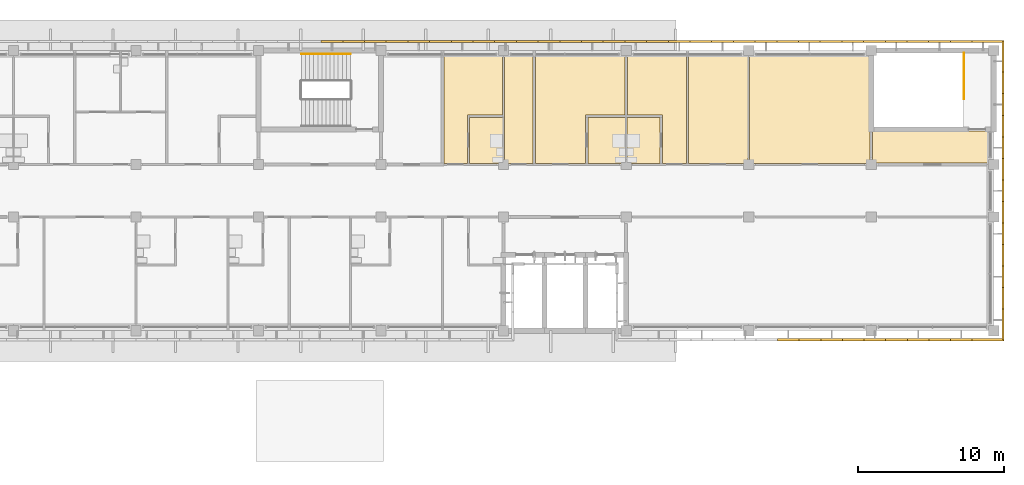
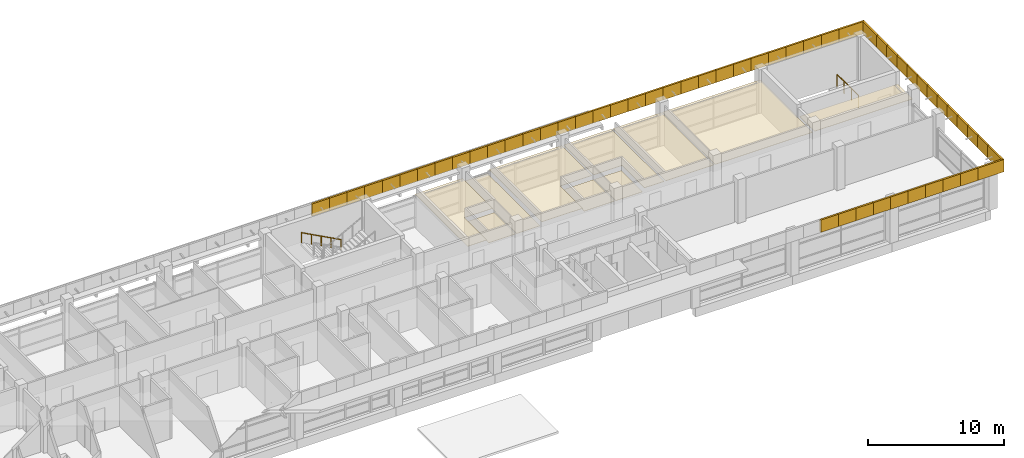
# One storey, part 35 of 36: 64 coverings, 2 railings.
"""IFC4 building model written with IfcOpenShell, lengths in metres."""

from ifc_helpers import new_model, si_unit, direction, frame, origin, origin_2d, place, context, subcontext, project, spatial, polyline, circle, outline, extrude, material, layer, layer_set, type_object, element, save


model = new_model("IFC4")

# Units and contexts
model_context = context("Model", 3, precision=1e-05, world=origin(), true_north=direction((0.0, 1.0)))
body_context = subcontext(model_context, "Body", "Model", "MODEL_VIEW")
ifc_project = project(units=[si_unit("LENGTHUNIT", "METRE"), si_unit("AREAUNIT", "SQUARE_METRE"), si_unit("VOLUMEUNIT", "CUBIC_METRE"), si_unit("PLANEANGLEUNIT", "RADIAN"), si_unit("MASSUNIT", "GRAM", prefix="KILO")], contexts=[model_context])

# Site, building, storey
site_placement = place(None, origin())
site = spatial("IfcSite", under=ifc_project, at=site_placement, CompositionType="ELEMENT")
building_placement = place(site_placement, origin())
building = spatial("IfcBuilding", under=site, at=building_placement, Name="Bougainvillea Quay General Hospital", CompositionType="ELEMENT")
storey_placement = place(building_placement, frame((0.0, 0.0, 32.699951171875)))
storey = spatial("IfcBuildingStorey", under=building, at=storey_placement, Name="L07", CompositionType="ELEMENT", Elevation=32.699951171875)

# Coverings
ifc_material_1 = material(Name="Powder-coated aluminium fascia, white", Category="aluminium")
ifc_layer_1 = layer(ifc_material_1, 0.14990234375)
ifc_layer_set_1 = layer_set([ifc_layer_1], Name="Powder-coated aluminium fascia, white")
covering_type_1 = type_object("IfcCoveringType", Name="Aluminium fascia band white 150x1100", PredefinedType="CLADDING", material=ifc_layer_set_1)
covering_1_placement = place(storey_placement, frame((185.35009765625, 160.14990234375, 3.35009765625), z_axis=(0.0, 0.0, 1.0), x_axis=(-1.0, 0.0, 0.0)))
element("IfcCovering", 1, at=covering_1_placement, inside=storey, type_object=covering_type_1, Name="Fascia band white e0 1", PredefinedType="CLADDING", context=body_context, shape_type="SweptSolid", body=[
    extrude(outline(polyline([(0.0, 0.0), (2.03759765625, 0.0), (2.03759765625, -0.150146484375), (-0.14990234375, -0.150146484375), (0.0, 0.0)])), origin(), (0.0, 0.0, 1.0), 1.10009765625),
])
for number, where, z_axis, x_axis, name in (
    (2, (183.3125, 160.14990234375, 3.35009765625), (0.0, 0.0, 1.0), (-1.0, 0.0, 0.0), "Fascia band white e0 2"),
    (3, (181.824951171875, 160.14990234375, 3.35009765625), (0.0, 0.0, 1.0), (-1.0, 0.0, 0.0), "Fascia band white e0 3"),
):
    element("IfcCovering", number, at=place(storey_placement, frame(where, z_axis=z_axis, x_axis=x_axis)), inside=storey, type_object=covering_type_1, Name=name, PredefinedType="CLADDING", context=body_context, shape_type="SweptSolid", body=[
        extrude(outline(polyline([(0.0, 0.0), (1.487548828125, 0.0), (1.487548828125, -0.150146484375), (0.0, -0.150146484375), (0.0, 0.0)])), origin(), (0.0, 0.0, 1.0), 1.10009765625),
    ])
covering_2_placement = place(storey_placement, frame((180.33740234375, 160.14990234375, 3.35009765625), z_axis=(0.0, 0.0, 1.0), x_axis=(-1.0, 0.0, 0.0)))
element("IfcCovering", 4, at=covering_2_placement, inside=storey, type_object=covering_type_1, Name="Fascia band white e0 4", PredefinedType="CLADDING", context=body_context, shape_type="SweptSolid", body=[
    extrude(outline(polyline([(0.0, 0.0), (1.4873046875, 0.0), (1.4873046875, -0.150146484375), (0.0, -0.150146484375), (0.0, 0.0)])), origin(), (0.0, 0.0, 1.0), 1.10009765625),
])
for number, where, z_axis, x_axis, name in (
    (5, (178.85009765625, 160.14990234375, 3.35009765625), (0.0, 0.0, 1.0), (-1.0, 0.0, 0.0), "Fascia band white e0 5"),
    (6, (177.362548828125, 160.14990234375, 3.35009765625), (0.0, 0.0, 1.0), (-1.0, 0.0, 0.0), "Fascia band white e0 6"),
    (7, (175.875, 160.14990234375, 3.35009765625), (0.0, 0.0, 1.0), (-1.0, 0.0, 0.0), "Fascia band white e0 7"),
    (8, (174.387451171875, 160.14990234375, 3.35009765625), (0.0, 0.0, 1.0), (-1.0, 0.0, 0.0), "Fascia band white e0 8"),
):
    element("IfcCovering", number, at=place(storey_placement, frame(where, z_axis=z_axis, x_axis=x_axis)), inside=storey, type_object=covering_type_1, Name=name, PredefinedType="CLADDING", context=body_context, shape_type="SweptSolid", body=[
        extrude(outline(polyline([(0.0, 0.0), (1.487548828125, 0.0), (1.487548828125, -0.150146484375), (0.0, -0.150146484375), (0.0, 0.0)])), origin(), (0.0, 0.0, 1.0), 1.10009765625),
    ])
covering_3_placement = place(storey_placement, frame((172.89990234375, 160.14990234375, 3.35009765625), z_axis=(0.0, 0.0, 1.0), x_axis=(-1.0, 0.0, 0.0)))
element("IfcCovering", 9, at=covering_3_placement, inside=storey, type_object=covering_type_1, Name="Fascia band white e0 9", PredefinedType="CLADDING", context=body_context, shape_type="SweptSolid", body=[
    extrude(outline(polyline([(0.0, 0.0), (1.4873046875, 0.0), (1.4873046875, -0.150146484375), (0.0, -0.150146484375), (0.0, 0.0)])), origin(), (0.0, 0.0, 1.0), 1.10009765625),
])
for number, where, z_axis, x_axis, name in (
    (10, (171.41259765625, 160.14990234375, 3.35009765625), (0.0, 0.0, 1.0), (-1.0, 0.0, 0.0), "Fascia band white e0 10"),
    (11, (169.925048828125, 160.14990234375, 3.35009765625), (0.0, 0.0, 1.0), (-1.0, 0.0, 0.0), "Fascia band white e0 11"),
    (12, (168.4375, 160.14990234375, 3.35009765625), (0.0, 0.0, 1.0), (-1.0, 0.0, 0.0), "Fascia band white e0 12"),
    (13, (166.949951171875, 160.14990234375, 3.35009765625), (0.0, 0.0, 1.0), (-1.0, 0.0, 0.0), "Fascia band white e0 13"),
):
    element("IfcCovering", number, at=place(storey_placement, frame(where, z_axis=z_axis, x_axis=x_axis)), inside=storey, type_object=covering_type_1, Name=name, PredefinedType="CLADDING", context=body_context, shape_type="SweptSolid", body=[
        extrude(outline(polyline([(0.0, 0.0), (1.487548828125, 0.0), (1.487548828125, -0.150146484375), (0.0, -0.150146484375), (0.0, 0.0)])), origin(), (0.0, 0.0, 1.0), 1.10009765625),
    ])
covering_4_placement = place(storey_placement, frame((165.46240234375, 160.14990234375, 3.35009765625), z_axis=(0.0, 0.0, 1.0), x_axis=(-1.0, 0.0, 0.0)))
element("IfcCovering", 14, at=covering_4_placement, inside=storey, type_object=covering_type_1, Name="Fascia band white e0 14", PredefinedType="CLADDING", context=body_context, shape_type="SweptSolid", body=[
    extrude(outline(polyline([(0.0, 0.0), (1.4873046875, 0.0), (1.4873046875, -0.150146484375), (0.0, -0.150146484375), (0.0, 0.0)])), origin(), (0.0, 0.0, 1.0), 1.10009765625),
])
for number, where, z_axis, x_axis, name in (
    (15, (163.97509765625, 160.14990234375, 3.35009765625), (0.0, 0.0, 1.0), (-1.0, 0.0, 0.0), "Fascia band white e0 15"),
    (16, (162.487548828125, 160.14990234375, 3.35009765625), (0.0, 0.0, 1.0), (-1.0, 0.0, 0.0), "Fascia band white e0 16"),
    (17, (161.0, 160.14990234375, 3.35009765625), (0.0, 0.0, 1.0), (-1.0, 0.0, 0.0), "Fascia band white e0 17"),
    (18, (159.512451171875, 160.14990234375, 3.35009765625), (0.0, 0.0, 1.0), (-1.0, 0.0, 0.0), "Fascia band white e0 18"),
):
    element("IfcCovering", number, at=place(storey_placement, frame(where, z_axis=z_axis, x_axis=x_axis)), inside=storey, type_object=covering_type_1, Name=name, PredefinedType="CLADDING", context=body_context, shape_type="SweptSolid", body=[
        extrude(outline(polyline([(0.0, 0.0), (1.487548828125, 0.0), (1.487548828125, -0.150146484375), (0.0, -0.150146484375), (0.0, 0.0)])), origin(), (0.0, 0.0, 1.0), 1.10009765625),
    ])
covering_5_placement = place(storey_placement, frame((158.02490234375, 160.14990234375, 3.35009765625), z_axis=(0.0, 0.0, 1.0), x_axis=(-1.0, 0.0, 0.0)))
element("IfcCovering", 19, at=covering_5_placement, inside=storey, type_object=covering_type_1, Name="Fascia band white e0 19", PredefinedType="CLADDING", context=body_context, shape_type="SweptSolid", body=[
    extrude(outline(polyline([(0.0, 0.0), (1.4873046875, 0.0), (1.4873046875, -0.150146484375), (0.0, -0.150146484375), (0.0, 0.0)])), origin(), (0.0, 0.0, 1.0), 1.10009765625),
])
for number, where, z_axis, x_axis, name in (
    (20, (156.53759765625, 160.14990234375, 3.35009765625), (0.0, 0.0, 1.0), (-1.0, 0.0, 0.0), "Fascia band white e0 20"),
    (21, (155.050048828125, 160.14990234375, 3.35009765625), (0.0, 0.0, 1.0), (-1.0, 0.0, 0.0), "Fascia band white e0 21"),
    (22, (153.5625, 160.14990234375, 3.35009765625), (0.0, 0.0, 1.0), (-1.0, 0.0, 0.0), "Fascia band white e0 22"),
    (23, (152.074951171875, 160.14990234375, 3.35009765625), (0.0, 0.0, 1.0), (-1.0, 0.0, 0.0), "Fascia band white e0 23"),
):
    element("IfcCovering", number, at=place(storey_placement, frame(where, z_axis=z_axis, x_axis=x_axis)), inside=storey, type_object=covering_type_1, Name=name, PredefinedType="CLADDING", context=body_context, shape_type="SweptSolid", body=[
        extrude(outline(polyline([(0.0, 0.0), (1.487548828125, 0.0), (1.487548828125, -0.150146484375), (0.0, -0.150146484375), (0.0, 0.0)])), origin(), (0.0, 0.0, 1.0), 1.10009765625),
    ])
covering_6_placement = place(storey_placement, frame((150.58740234375, 160.14990234375, 3.35009765625), z_axis=(0.0, 0.0, 1.0), x_axis=(-1.0, 0.0, 0.0)))
element("IfcCovering", 24, at=covering_6_placement, inside=storey, type_object=covering_type_1, Name="Fascia band white e0 24", PredefinedType="CLADDING", context=body_context, shape_type="SweptSolid", body=[
    extrude(outline(polyline([(0.0, 0.0), (1.4873046875, 0.0), (1.4873046875, -0.150146484375), (0.0, -0.150146484375), (0.0, 0.0)])), origin(), (0.0, 0.0, 1.0), 1.10009765625),
])
for number, where, z_axis, x_axis, name in (
    (25, (149.10009765625, 160.14990234375, 3.35009765625), (0.0, 0.0, 1.0), (-1.0, 0.0, 0.0), "Fascia band white e0 25"),
    (26, (147.612548828125, 160.14990234375, 3.35009765625), (0.0, 0.0, 1.0), (-1.0, 0.0, 0.0), "Fascia band white e0 26"),
    (27, (146.125, 160.14990234375, 3.35009765625), (0.0, 0.0, 1.0), (-1.0, 0.0, 0.0), "Fascia band white e0 27"),
    (28, (144.637451171875, 160.14990234375, 3.35009765625), (0.0, 0.0, 1.0), (-1.0, 0.0, 0.0), "Fascia band white e0 28"),
):
    element("IfcCovering", number, at=place(storey_placement, frame(where, z_axis=z_axis, x_axis=x_axis)), inside=storey, type_object=covering_type_1, Name=name, PredefinedType="CLADDING", context=body_context, shape_type="SweptSolid", body=[
        extrude(outline(polyline([(0.0, 0.0), (1.487548828125, 0.0), (1.487548828125, -0.150146484375), (0.0, -0.150146484375), (0.0, 0.0)])), origin(), (0.0, 0.0, 1.0), 1.10009765625),
    ])
covering_7_placement = place(storey_placement, frame((143.14990234375, 160.14990234375, 3.35009765625), z_axis=(0.0, 0.0, 1.0), x_axis=(-1.0, 0.0, 0.0)))
element("IfcCovering", 29, at=covering_7_placement, inside=storey, type_object=covering_type_1, Name="Fascia band white e0 29", PredefinedType="CLADDING", context=body_context, shape_type="SweptSolid", body=[
    extrude(outline(polyline([(0.0, 0.0), (1.4873046875, 0.0), (1.4873046875, -0.150146484375), (0.0, -0.150146484375), (0.0, 0.0)])), origin(), (0.0, 0.0, 1.0), 1.10009765625),
])
for number, where, z_axis, x_axis, name in (
    (30, (141.66259765625, 160.14990234375, 3.35009765625), (0.0, 0.0, 1.0), (-1.0, 0.0, 0.0), "Fascia band white e0 30"),
    (31, (140.175048828125, 160.14990234375, 3.35009765625), (0.0, 0.0, 1.0), (-1.0, 0.0, 0.0), "Fascia band white e0 31"),
):
    element("IfcCovering", number, at=place(storey_placement, frame(where, z_axis=z_axis, x_axis=x_axis)), inside=storey, type_object=covering_type_1, Name=name, PredefinedType="CLADDING", context=body_context, shape_type="SweptSolid", body=[
        extrude(outline(polyline([(0.0, 0.0), (1.487548828125, 0.0), (1.487548828125, -0.150146484375), (0.0, -0.150146484375), (0.0, 0.0)])), origin(), (0.0, 0.0, 1.0), 1.10009765625),
    ])
covering_8_placement = place(storey_placement, frame((169.9765625, 139.85009765625, 3.35009765625), z_axis=(0.0, 0.0, 1.0), x_axis=(1.0, 0.0, 0.0)))
element("IfcCovering", 32, at=covering_8_placement, inside=storey, type_object=covering_type_1, Name="Fascia band white e0 213", PredefinedType="CLADDING", context=body_context, shape_type="SweptSolid", body=[
    extrude(outline(polyline([(0.0, 0.0), (1.482177734375, 0.0), (1.482177734375, -0.150146484375), (0.0, -0.150146484375), (0.0, 0.0)])), origin(), (0.0, 0.0, 1.0), 1.10009765625),
])
for number, where, z_axis, x_axis, name in (
    (33, (171.458740234375, 139.85009765625, 3.35009765625), (0.0, 0.0, 1.0), (1.0, 0.0, 0.0), "Fascia band white e0 214"),
    (34, (172.941162109375, 139.85009765625, 3.35009765625), (0.0, 0.0, 1.0), (1.0, 0.0, 0.0), "Fascia band white e0 215"),
):
    element("IfcCovering", number, at=place(storey_placement, frame(where, z_axis=z_axis, x_axis=x_axis)), inside=storey, type_object=covering_type_1, Name=name, PredefinedType="CLADDING", context=body_context, shape_type="SweptSolid", body=[
        extrude(outline(polyline([(0.0, 0.0), (1.482421875, 0.0), (1.482421875, -0.150146484375), (0.0, -0.150146484375), (0.0, 0.0)])), origin(), (0.0, 0.0, 1.0), 1.10009765625),
    ])
covering_9_placement = place(storey_placement, frame((174.423583984375, 139.85009765625, 3.35009765625), z_axis=(0.0, 0.0, 1.0), x_axis=(1.0, 0.0, 0.0)))
element("IfcCovering", 35, at=covering_9_placement, inside=storey, type_object=covering_type_1, Name="Fascia band white e0 216", PredefinedType="CLADDING", context=body_context, shape_type="SweptSolid", body=[
    extrude(outline(polyline([(0.0, 0.0), (1.482177734375, 0.0), (1.482177734375, -0.150146484375), (0.0, -0.150146484375), (0.0, 0.0)])), origin(), (0.0, 0.0, 1.0), 1.10009765625),
])
for number, where, z_axis, x_axis, name in (
    (36, (175.90576171875, 139.85009765625, 3.35009765625), (0.0, 0.0, 1.0), (1.0, 0.0, 0.0), "Fascia band white e0 217"),
    (37, (177.38818359375, 139.85009765625, 3.35009765625), (0.0, 0.0, 1.0), (1.0, 0.0, 0.0), "Fascia band white e0 218"),
    (38, (178.87060546875, 139.85009765625, 3.35009765625), (0.0, 0.0, 1.0), (1.0, 0.0, 0.0), "Fascia band white e0 219"),
):
    element("IfcCovering", number, at=place(storey_placement, frame(where, z_axis=z_axis, x_axis=x_axis)), inside=storey, type_object=covering_type_1, Name=name, PredefinedType="CLADDING", context=body_context, shape_type="SweptSolid", body=[
        extrude(outline(polyline([(0.0, 0.0), (1.482421875, 0.0), (1.482421875, -0.150146484375), (0.0, -0.150146484375), (0.0, 0.0)])), origin(), (0.0, 0.0, 1.0), 1.10009765625),
    ])
covering_10_placement = place(storey_placement, frame((180.35302734375, 139.85009765625, 3.35009765625), z_axis=(0.0, 0.0, 1.0), x_axis=(1.0, 0.0, 0.0)))
element("IfcCovering", 39, at=covering_10_placement, inside=storey, type_object=covering_type_1, Name="Fascia band white e0 220", PredefinedType="CLADDING", context=body_context, shape_type="SweptSolid", body=[
    extrude(outline(polyline([(0.0, 0.0), (1.482177734375, 0.0), (1.482177734375, -0.150146484375), (0.0, -0.150146484375), (0.0, 0.0)])), origin(), (0.0, 0.0, 1.0), 1.10009765625),
])
covering_11_placement = place(storey_placement, frame((181.835205078125, 139.85009765625, 3.35009765625), z_axis=(0.0, 0.0, 1.0), x_axis=(1.0, 0.0, 0.0)))
element("IfcCovering", 40, at=covering_11_placement, inside=storey, type_object=covering_type_1, Name="Fascia band white e0 221", PredefinedType="CLADDING", context=body_context, shape_type="SweptSolid", body=[
    extrude(outline(polyline([(0.0, 0.0), (1.482421875, 0.0), (1.482421875, -0.150146484375), (0.0, -0.150146484375), (0.0, 0.0)])), origin(), (0.0, 0.0, 1.0), 1.10009765625),
])
covering_12_placement = place(storey_placement, frame((183.317626953125, 139.85009765625, 3.35009765625), z_axis=(0.0, 0.0, 1.0), x_axis=(1.0, 0.0, 0.0)))
element("IfcCovering", 41, at=covering_12_placement, inside=storey, type_object=covering_type_1, Name="Fascia band white e0 222", PredefinedType="CLADDING", context=body_context, shape_type="SweptSolid", body=[
    extrude(outline(polyline([(0.0, 0.0), (2.032470703125, 0.0), (2.182373046875, -0.150146484375), (0.0, -0.150146484375), (0.0, 0.0)])), origin(), (0.0, 0.0, 1.0), 1.10009765625),
])
covering_13_placement = place(storey_placement, frame((185.35009765625, 139.85009765625, 3.35009765625), z_axis=(0.0, 0.0, 1.0), x_axis=(0.0, 1.0, 0.0)))
element("IfcCovering", 42, at=covering_13_placement, inside=storey, type_object=covering_type_1, Name="Fascia band white e0 223", PredefinedType="CLADDING", context=body_context, shape_type="SweptSolid", body=[
    extrude(outline(polyline([(0.0, 0.0), (2.02685546875, 0.0), (2.02685546875, -0.14990234375), (-0.150146484375, -0.14990234375), (0.0, 0.0)])), origin(), (0.0, 0.0, 1.0), 1.10009765625),
])
covering_14_placement = place(storey_placement, frame((185.35009765625, 141.876953125, 3.35009765625), z_axis=(0.0, 0.0, 1.0), x_axis=(0.0, 1.0, 0.0)))
element("IfcCovering", 43, at=covering_14_placement, inside=storey, type_object=covering_type_1, Name="Fascia band white e0 224", PredefinedType="CLADDING", context=body_context, shape_type="SweptSolid", body=[
    extrude(outline(polyline([(0.0, 0.0), (1.476806640625, 0.0), (1.476806640625, -0.14990234375), (0.0, -0.14990234375), (0.0, 0.0)])), origin(), (0.0, 0.0, 1.0), 1.10009765625),
])
covering_15_placement = place(storey_placement, frame((185.35009765625, 143.353759765625, 3.35009765625), z_axis=(0.0, 0.0, 1.0), x_axis=(0.0, 1.0, 0.0)))
element("IfcCovering", 44, at=covering_15_placement, inside=storey, type_object=covering_type_1, Name="Fascia band white e0 225", PredefinedType="CLADDING", context=body_context, shape_type="SweptSolid", body=[
    extrude(outline(polyline([(0.0, 0.0), (1.47705078125, 0.0), (1.47705078125, -0.14990234375), (0.0, -0.14990234375), (0.0, 0.0)])), origin(), (0.0, 0.0, 1.0), 1.10009765625),
])
covering_16_placement = place(storey_placement, frame((185.35009765625, 144.830810546875, 3.35009765625), z_axis=(0.0, 0.0, 1.0), x_axis=(0.0, 1.0, 0.0)))
element("IfcCovering", 45, at=covering_16_placement, inside=storey, type_object=covering_type_1, Name="Fascia band white e0 226", PredefinedType="CLADDING", context=body_context, shape_type="SweptSolid", body=[
    extrude(outline(polyline([(0.0, 0.0), (1.476806640625, 0.0), (1.476806640625, -0.14990234375), (0.0, -0.14990234375), (0.0, 0.0)])), origin(), (0.0, 0.0, 1.0), 1.10009765625),
])
covering_17_placement = place(storey_placement, frame((185.35009765625, 146.3076171875, 3.35009765625), z_axis=(0.0, 0.0, 1.0), x_axis=(0.0, 1.0, 0.0)))
element("IfcCovering", 46, at=covering_17_placement, inside=storey, type_object=covering_type_1, Name="Fascia band white e0 227", PredefinedType="CLADDING", context=body_context, shape_type="SweptSolid", body=[
    extrude(outline(polyline([(0.0, 0.0), (1.47705078125, 0.0), (1.47705078125, -0.14990234375), (0.0, -0.14990234375), (0.0, 0.0)])), origin(), (0.0, 0.0, 1.0), 1.10009765625),
])
covering_18_placement = place(storey_placement, frame((185.35009765625, 147.78466796875, 3.35009765625), z_axis=(0.0, 0.0, 1.0), x_axis=(0.0, 1.0, 0.0)))
element("IfcCovering", 47, at=covering_18_placement, inside=storey, type_object=covering_type_1, Name="Fascia band white e0 228", PredefinedType="CLADDING", context=body_context, shape_type="SweptSolid", body=[
    extrude(outline(polyline([(0.0, 0.0), (1.476806640625, 0.0), (1.476806640625, -0.14990234375), (0.0, -0.14990234375), (0.0, 0.0)])), origin(), (0.0, 0.0, 1.0), 1.10009765625),
])
covering_19_placement = place(storey_placement, frame((185.35009765625, 149.261474609375, 3.35009765625), z_axis=(0.0, 0.0, 1.0), x_axis=(0.0, 1.0, 0.0)))
element("IfcCovering", 48, at=covering_19_placement, inside=storey, type_object=covering_type_1, Name="Fascia band white e0 229", PredefinedType="CLADDING", context=body_context, shape_type="SweptSolid", body=[
    extrude(outline(polyline([(0.0, 0.0), (1.47705078125, 0.0), (1.47705078125, -0.14990234375), (0.0, -0.14990234375), (0.0, 0.0)])), origin(), (0.0, 0.0, 1.0), 1.10009765625),
])
covering_20_placement = place(storey_placement, frame((185.35009765625, 150.738525390625, 3.35009765625), z_axis=(0.0, 0.0, 1.0), x_axis=(0.0, 1.0, 0.0)))
element("IfcCovering", 49, at=covering_20_placement, inside=storey, type_object=covering_type_1, Name="Fascia band white e0 230", PredefinedType="CLADDING", context=body_context, shape_type="SweptSolid", body=[
    extrude(outline(polyline([(0.0, 0.0), (1.476806640625, 0.0), (1.476806640625, -0.14990234375), (0.0, -0.14990234375), (0.0, 0.0)])), origin(), (0.0, 0.0, 1.0), 1.10009765625),
])
covering_21_placement = place(storey_placement, frame((185.35009765625, 152.21533203125, 3.35009765625), z_axis=(0.0, 0.0, 1.0), x_axis=(0.0, 1.0, 0.0)))
element("IfcCovering", 50, at=covering_21_placement, inside=storey, type_object=covering_type_1, Name="Fascia band white e0 231", PredefinedType="CLADDING", context=body_context, shape_type="SweptSolid", body=[
    extrude(outline(polyline([(0.0, 0.0), (1.47705078125, 0.0), (1.47705078125, -0.14990234375), (0.0, -0.14990234375), (0.0, 0.0)])), origin(), (0.0, 0.0, 1.0), 1.10009765625),
])
covering_22_placement = place(storey_placement, frame((185.35009765625, 153.6923828125, 3.35009765625), z_axis=(0.0, 0.0, 1.0), x_axis=(0.0, 1.0, 0.0)))
element("IfcCovering", 51, at=covering_22_placement, inside=storey, type_object=covering_type_1, Name="Fascia band white e0 232", PredefinedType="CLADDING", context=body_context, shape_type="SweptSolid", body=[
    extrude(outline(polyline([(0.0, 0.0), (1.476806640625, 0.0), (1.476806640625, -0.14990234375), (0.0, -0.14990234375), (0.0, 0.0)])), origin(), (0.0, 0.0, 1.0), 1.10009765625),
])
covering_23_placement = place(storey_placement, frame((185.35009765625, 155.169189453125, 3.35009765625), z_axis=(0.0, 0.0, 1.0), x_axis=(0.0, 1.0, 0.0)))
element("IfcCovering", 52, at=covering_23_placement, inside=storey, type_object=covering_type_1, Name="Fascia band white e0 233", PredefinedType="CLADDING", context=body_context, shape_type="SweptSolid", body=[
    extrude(outline(polyline([(0.0, 0.0), (1.47705078125, 0.0), (1.47705078125, -0.14990234375), (0.0, -0.14990234375), (0.0, 0.0)])), origin(), (0.0, 0.0, 1.0), 1.10009765625),
])
covering_24_placement = place(storey_placement, frame((185.35009765625, 156.646240234375, 3.35009765625), z_axis=(0.0, 0.0, 1.0), x_axis=(0.0, 1.0, 0.0)))
element("IfcCovering", 53, at=covering_24_placement, inside=storey, type_object=covering_type_1, Name="Fascia band white e0 234", PredefinedType="CLADDING", context=body_context, shape_type="SweptSolid", body=[
    extrude(outline(polyline([(0.0, 0.0), (1.476806640625, 0.0), (1.476806640625, -0.14990234375), (0.0, -0.14990234375), (0.0, 0.0)])), origin(), (0.0, 0.0, 1.0), 1.10009765625),
])
covering_25_placement = place(storey_placement, frame((185.35009765625, 158.123046875, 3.35009765625), z_axis=(0.0, 0.0, 1.0), x_axis=(0.0, 1.0, 0.0)))
element("IfcCovering", 54, at=covering_25_placement, inside=storey, type_object=covering_type_1, Name="Fascia band white e0 235", PredefinedType="CLADDING", context=body_context, shape_type="SweptSolid", body=[
    extrude(outline(polyline([(0.0, 0.0), (2.02685546875, 0.0), (2.177001953125, -0.14990234375), (0.0, -0.14990234375), (0.0, 0.0)])), origin(), (0.0, 0.0, 1.0), 1.10009765625),
])

# Railings
ifc_material_2 = material(Name="Stainless steel 304 balustrade", Category="steel")
railing_type_1 = type_object("IfcRailingType", Name="Stair guard 1100", PredefinedType="GUARDRAIL", material=ifc_material_2)
railing_1_placement = place(storey_placement, frame((182.75, 159.425048828125, 0.0)))
element("IfcRailing", 55, at=railing_1_placement, inside=storey, type_object=railing_type_1, Name="L07 ST-A4 top well guard 1", PredefinedType="GUARDRAIL", context=body_context, shape_type="SweptSolid", body=[
    extrude(circle(Radius=0.02392578125, at=origin_2d()), frame((0.0, 0.0, 1.076171875), z_axis=(0.0, -1.0, 0.0), x_axis=(1.0, 0.0, 0.0)), (0.0, 0.0, 1.0), 3.125),
    extrude(circle(Radius=0.02099609375, at=origin_2d()), origin(), (0.0, 0.0, 1.0), 1.052001953125),
    extrude(circle(Radius=0.02099609375, at=origin_2d()), frame((0.0, -1.041748046875, 0.0)), (0.0, 0.0, 1.0), 1.052001953125),
    extrude(circle(Radius=0.02099609375, at=origin_2d()), frame((0.0, -2.083251953125, 0.0)), (0.0, 0.0, 1.0), 1.052001953125),
    extrude(circle(Radius=0.02099609375, at=origin_2d()), frame((0.0, -3.125, 0.0)), (0.0, 0.0, 1.0), 1.052001953125),
])
ifc_material_3 = material(Name="Stainless steel 304 handrail", Category="steel")
railing_type_2 = type_object("IfcRailingType", Name="Stair handrail 900", PredefinedType="HANDRAIL", material=ifc_material_3)
railing_2_placement = place(storey_placement, frame((140.699951171875, 159.375, 0.150146484375)))
element("IfcRailing", 56, at=railing_2_placement, inside=storey, type_object=railing_type_2, Name="L07 ST-A3 stair handrail 1", PredefinedType="HANDRAIL", context=body_context, shape_type="SweptSolid", body=[
    extrude(circle(Radius=0.02392578125, at=origin_2d()), frame((0.0, 0.0, 0.8759765625), z_axis=(-0.881493300765, 0.0, 0.47219652763), x_axis=(0.0, -1.0, 0.0)), (0.0, 0.0, 1.0), 3.8115234375),
    extrude(circle(Radius=0.02099609375, at=origin_2d()), origin(), (0.0, 0.0, 1.0), 0.851806640625),
    extrude(circle(Radius=0.02099609375, at=origin_2d()), frame((-0.83984375, 0.0, 0.449951171875)), (0.0, 0.0, 1.0), 0.851806640625),
    extrude(circle(Radius=0.02099609375, at=origin_2d()), frame((-1.679931640625, 0.0, 0.89990234375)), (0.0, 0.0, 1.0), 0.851806640625),
    extrude(circle(Radius=0.02099609375, at=origin_2d()), frame((-2.52001953125, 0.0, 1.349853515625)), (0.0, 0.0, 1.0), 0.851806640625),
    extrude(circle(Radius=0.02099609375, at=origin_2d()), frame((-3.35986328125, 0.0, 1.7998046875)), (0.0, 0.0, 1.0), 0.851806640625),
])

# Coverings
ifc_material_4 = material(Name="Mineral fibre ceiling tile")
ifc_layer_2 = layer(ifc_material_4, 0.030029296875)
ifc_layer_set_2 = layer_set([ifc_layer_2], Name="Mineral fibre ceiling tile")
covering_type_2 = type_object("IfcCoveringType", Name="Suspended ceiling mineral fibre tile", PredefinedType="CEILING", material=ifc_layer_set_2)
covering_26_placement = place(storey_placement, frame((0.0, 0.0, 2.699951171875)))
element("IfcCovering", 57, at=covering_26_placement, inside=storey, type_object=covering_type_2, Name="Ceiling Smoke-proof Vestibule ST-A4", PredefinedType="CEILING", context=body_context, shape_type="SweptSolid", body=[
    extrude(outline(polyline([(184.800048828125, 154.10009765625), (176.5, 154.10009765625), (176.5, 151.89990234375), (184.800048828125, 151.89990234375), (184.800048828125, 154.10009765625)])), origin(), (0.0, 0.0, 1.0), 0.030029296875),
])
covering_27_placement = place(storey_placement, frame((0.0, 0.0, 2.699951171875)))
element("IfcCovering", 58, at=covering_27_placement, inside=storey, type_object=covering_type_2, Name="Ceiling Private Patient Room 07A33", PredefinedType="CEILING", context=body_context, shape_type="SweptSolid", body=[
    extrude(outline(polyline([(147.10009765625, 159.60009765625), (147.10009765625, 151.875), (148.72509765625, 151.875), (148.72509765625, 155.175048828125), (151.125, 155.175048828125), (151.125, 159.60009765625), (147.10009765625, 159.60009765625)])), origin(), (0.0, 0.0, 1.0), 0.030029296875),
])
covering_28_placement = place(storey_placement, frame((0.0, 0.0, 2.400146484375)))
element("IfcCovering", 59, at=covering_28_placement, inside=storey, type_object=covering_type_2, Name="Ceiling En-suite 07A33", PredefinedType="CEILING", context=body_context, shape_type="SweptSolid", body=[
    extrude(outline(polyline([(151.14990234375, 155.02490234375), (148.875, 155.02490234375), (148.875, 151.875), (151.14990234375, 151.875), (151.14990234375, 155.02490234375)])), origin(), (0.0, 0.0, 1.0), 0.02978515625),
])
covering_29_placement = place(storey_placement, frame((0.0, 0.0, 2.400146484375)))
element("IfcCovering", 60, at=covering_29_placement, inside=storey, type_object=covering_type_2, Name="Ceiling Cleaners' Store 07A34", PredefinedType="CEILING", context=body_context, shape_type="SweptSolid", body=[
    extrude(outline(polyline([(151.27490234375, 159.60009765625), (151.27490234375, 155.02490234375), (151.25, 155.02490234375), (151.25, 151.875), (153.22509765625, 151.875), (153.22509765625, 159.60009765625), (151.27490234375, 159.60009765625)])), origin(), (0.0, 0.0, 1.0), 0.02978515625),
])
covering_30_placement = place(storey_placement, frame((0.0, 0.0, 2.699951171875)))
element("IfcCovering", 61, at=covering_30_placement, inside=storey, type_object=covering_type_2, Name="Ceiling Private Patient Suite 07A35", PredefinedType="CEILING", context=body_context, shape_type="SweptSolid", body=[
    extrude(outline(polyline([(153.375, 159.60009765625), (153.375, 151.875), (156.824951171875, 151.875), (156.824951171875, 155.175048828125), (159.52490234375, 155.175048828125), (159.52490234375, 159.60009765625), (153.375, 159.60009765625)])), origin(), (0.0, 0.0, 1.0), 0.030029296875),
])
covering_31_placement = place(storey_placement, frame((0.0, 0.0, 2.400146484375)))
element("IfcCovering", 62, at=covering_31_placement, inside=storey, type_object=covering_type_2, Name="Ceiling En-suite 07A35", PredefinedType="CEILING", context=body_context, shape_type="SweptSolid", body=[
    extrude(outline(polyline([(156.97509765625, 155.02490234375), (156.97509765625, 151.875), (159.550048828125, 151.875), (159.550048828125, 155.02490234375), (156.97509765625, 155.02490234375)])), origin(), (0.0, 0.0, 1.0), 0.02978515625),
])
covering_32_placement = place(storey_placement, frame((0.0, 0.0, 2.699951171875)))
element("IfcCovering", 63, at=covering_32_placement, inside=storey, type_object=covering_type_2, Name="Ceiling Private Patient Room 07A36", PredefinedType="CEILING", context=body_context, shape_type="SweptSolid", body=[
    extrude(outline(polyline([(159.675048828125, 159.60009765625), (159.675048828125, 155.175048828125), (162.074951171875, 155.175048828125), (162.074951171875, 151.875), (163.72509765625, 151.875), (163.72509765625, 159.60009765625), (159.675048828125, 159.60009765625)])), origin(), (0.0, 0.0, 1.0), 0.030029296875),
])
covering_33_placement = place(storey_placement, frame((0.0, 0.0, 2.400146484375)))
element("IfcCovering", 64, at=covering_33_placement, inside=storey, type_object=covering_type_2, Name="Ceiling En-suite 07A36", PredefinedType="CEILING", context=body_context, shape_type="SweptSolid", body=[
    extrude(outline(polyline([(159.64990234375, 155.02490234375), (159.64990234375, 151.875), (161.925048828125, 151.875), (161.925048828125, 155.02490234375), (159.64990234375, 155.02490234375)])), origin(), (0.0, 0.0, 1.0), 0.02978515625),
])
covering_34_placement = place(storey_placement, frame((0.0, 0.0, 2.699951171875)))
element("IfcCovering", 65, at=covering_34_placement, inside=storey, type_object=covering_type_2, Name="Ceiling Ward Kitchen 07A37", PredefinedType="CEILING", context=body_context, shape_type="SweptSolid", body=[
    extrude(outline(polyline([(163.875, 159.60009765625), (163.875, 151.875), (167.949951171875, 151.875), (167.949951171875, 159.60009765625), (163.875, 159.60009765625)])), origin(), (0.0, 0.0, 1.0), 0.030029296875),
])
covering_35_placement = place(storey_placement, frame((0.0, 0.0, 2.699951171875)))
element("IfcCovering", 66, at=covering_35_placement, inside=storey, type_object=covering_type_2, Name="Ceiling Doctors' Office 07A38", PredefinedType="CEILING", context=body_context, shape_type="SweptSolid", body=[
    extrude(outline(polyline([(168.050048828125, 159.60009765625), (168.050048828125, 151.875), (176.300048828125, 151.875), (176.300048828125, 154.300048828125), (176.35009765625, 154.300048828125), (176.35009765625, 159.60009765625), (168.050048828125, 159.60009765625)])), origin(), (0.0, 0.0, 1.0), 0.030029296875),
])

save(model, "model.ifc")
